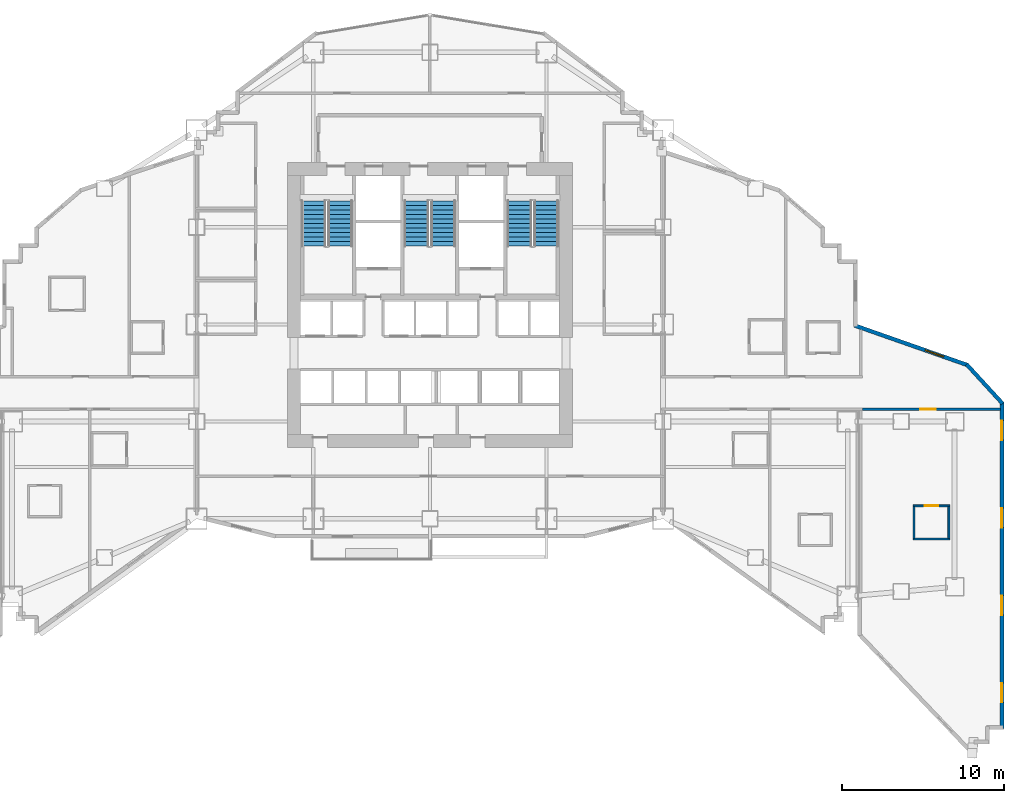
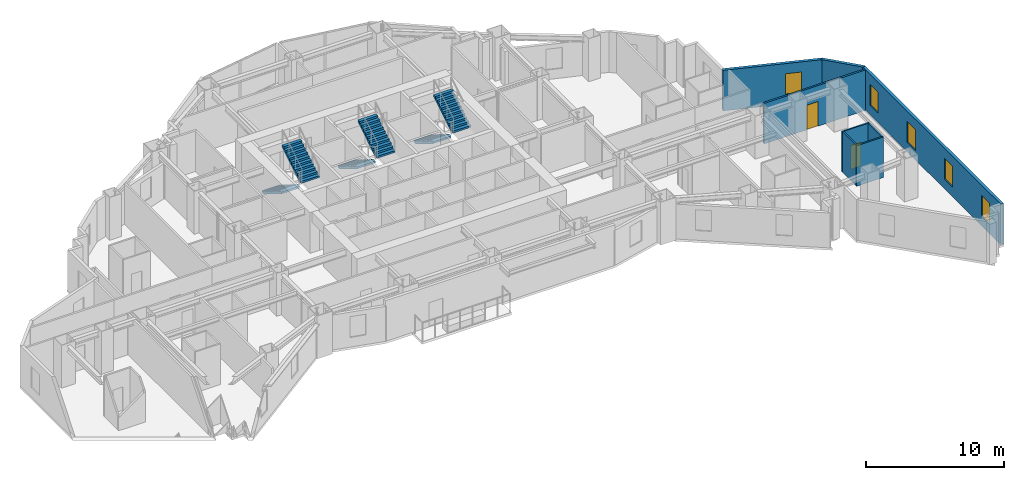
# One storey, part 12 of 17: 8 walls, 6 stair flights, 5 windows, 2 doors, 7 openings, 3 elements without a shape of their own.
"""IFC4 building model written with IfcOpenShell, lengths in metres."""

from ifc_helpers import new_model, si_unit, direction, frame, frame_2d, origin, place, context, subcontext, project, spatial, polyline, rectangle, outline, extrude, material, layer, layer_set, type_object, element, fill, aggregate, save


model = new_model("IFC4")

# Units and contexts
model_context = context("Model", 3, precision=1e-05, world=origin(), true_north=direction((0.0, 1.0)))
body_context = subcontext(model_context, "Body", "Model", "MODEL_VIEW")
ifc_project = project(units=[si_unit("LENGTHUNIT", "METRE"), si_unit("AREAUNIT", "SQUARE_METRE"), si_unit("VOLUMEUNIT", "CUBIC_METRE"), si_unit("PLANEANGLEUNIT", "RADIAN"), si_unit("MASSUNIT", "GRAM", prefix="KILO")], contexts=[model_context])

# Site, building, storey
site_placement = place(None, origin())
site = spatial("IfcSite", under=ifc_project, at=site_placement, CompositionType="ELEMENT")
building_placement = place(site_placement, origin())
building = spatial("IfcBuilding", under=site, at=building_placement, Name="Haolan Belvedere Tower", CompositionType="ELEMENT")
storey_placement = place(building_placement, frame((0.0, 0.0, 31.60009765625)))
storey = spatial("IfcBuildingStorey", under=building, at=storey_placement, Name="L07", CompositionType="ELEMENT", Elevation=31.60009765625)

# Wall, openings, windows
ifc_material_1 = material(Name="Precast concrete C40/50", Category="concrete")
ifc_layer_1 = layer(ifc_material_1, 0.239990234375, Name="Precast concrete C40/50")
ifc_layer_set_1 = layer_set([ifc_layer_1], Name="Precast concrete C40/50")
wall_type_1 = type_object("IfcWallType", Name="WL-EXT-240", PredefinedType="SOLIDWALL", material=ifc_layer_set_1)
wall_1_placement = place(storey_placement, frame((73.719970703125, 8.656982421875, 0.0), z_axis=(0.0, 0.0, 1.0), x_axis=(0.0, 1.0, 0.0)))
wall_1 = element("IfcWall", 1, at=wall_1_placement, inside=storey, type_object=wall_type_1, Name="L07 pale-metal exterior spandrel wall 26.1", PredefinedType="SOLIDWALL", context=body_context, shape_type="SweptSolid", body=[
    extrude(rectangle(XDim=20.1513671875, YDim=0.239990234375, at=frame_2d((10.07568359375, 0.0))), origin(), (0.0, 0.0, 1.0), 3.599853515625),
])
opening_1_placement = place(wall_1_placement, frame((1.60009765625, 0.0, 0.85009765625)))
opening_1 = element("IfcOpeningElement", 2, at=opening_1_placement, cuts=wall_1, Name="Opening W-01", PredefinedType="OPENING", context=body_context, shape_type="SweptSolid", body=[
    extrude(rectangle(XDim=1.199951171875, YDim=1.85009765625, at=frame_2d((0.60009765625, 0.925048828125))), frame((0.0, 0.1298828125, 0.0), z_axis=(0.0, -1.0, 0.0), x_axis=(1.0, 0.0, 0.0)), (0.0, 0.0, 1.0), 0.260009765625),
])
opening_2_placement = place(wall_1_placement, frame((7.0, 0.0, 0.85009765625)))
opening_2 = element("IfcOpeningElement", 3, at=opening_2_placement, cuts=wall_1, Name="Opening W-01", PredefinedType="OPENING", context=body_context, shape_type="SweptSolid", body=[
    extrude(rectangle(XDim=1.199951171875, YDim=1.85009765625, at=frame_2d((0.60009765625, 0.925048828125))), frame((0.0, 0.1298828125, 0.0), z_axis=(0.0, -1.0, 0.0), x_axis=(1.0, 0.0, 0.0)), (0.0, 0.0, 1.0), 0.260009765625),
])
opening_3_placement = place(wall_1_placement, frame((12.39990234375, 0.0, 0.85009765625)))
opening_3 = element("IfcOpeningElement", 4, at=opening_3_placement, cuts=wall_1, Name="Opening W-01", PredefinedType="OPENING", context=body_context, shape_type="SweptSolid", body=[
    extrude(rectangle(XDim=1.199951171875, YDim=1.85009765625, at=frame_2d((0.60009765625, 0.925048828125))), frame((0.0, 0.1298828125, 0.0), z_axis=(0.0, -1.0, 0.0), x_axis=(1.0, 0.0, 0.0)), (0.0, 0.0, 1.0), 0.260009765625),
])
opening_4_placement = place(wall_1_placement, frame((17.800048828125, 0.0, 0.85009765625)))
opening_4 = element("IfcOpeningElement", 5, at=opening_4_placement, cuts=wall_1, Name="Opening W-01", PredefinedType="OPENING", context=body_context, shape_type="SweptSolid", body=[
    extrude(rectangle(XDim=1.199951171875, YDim=1.85009765625, at=frame_2d((0.60009765625, 0.925048828125))), frame((0.0, 0.1298828125, 0.0), z_axis=(0.0, -1.0, 0.0), x_axis=(1.0, 0.0, 0.0)), (0.0, 0.0, 1.0), 0.260009765625),
])
ifc_material_2 = material(Name="Anodised aluminium 6063-T6 and Low-E glass", Category="aluminium")
window_type = type_object("IfcWindowType", Name="WN-DECO-Z1", PartitioningType="SINGLE_PANEL", PredefinedType="WINDOW", material=ifc_material_2)
window_1_placement = place(opening_1_placement, origin())
window_1 = element("IfcWindow", 6, at=window_1_placement, inside=storey, type_object=window_type, Name="L07 Art Deco chevron window 1", OverallHeight=1.85009765625, OverallWidth=1.199951171875, PartitioningType="SINGLE_PANEL", PredefinedType="WINDOW", context=body_context, shape_type="SweptSolid", body=[
    extrude(rectangle(XDim=1.199951171875, YDim=1.85009765625, at=frame_2d((0.60009765625, 0.925048828125))), frame((0.0, 0.030029296875, 0.0), z_axis=(0.0, -1.0, 0.0), x_axis=(1.0, 0.0, 0.0)), (0.0, 0.0, 1.0), 0.06005859375),
])
fill(opening_1, window_1)
window_2_placement = place(opening_2_placement, origin())
window_2 = element("IfcWindow", 7, at=window_2_placement, inside=storey, type_object=window_type, Name="L07 Art Deco chevron window 2", OverallHeight=1.85009765625, OverallWidth=1.199951171875, PartitioningType="SINGLE_PANEL", PredefinedType="WINDOW", context=body_context, shape_type="SweptSolid", body=[
    extrude(rectangle(XDim=1.199951171875, YDim=1.85009765625, at=frame_2d((0.60009765625, 0.925048828125))), frame((0.0, 0.030029296875, 0.0), z_axis=(0.0, -1.0, 0.0), x_axis=(1.0, 0.0, 0.0)), (0.0, 0.0, 1.0), 0.06005859375),
])
fill(opening_2, window_2)
window_3_placement = place(opening_3_placement, origin())
window_3 = element("IfcWindow", 8, at=window_3_placement, inside=storey, type_object=window_type, Name="L07 Art Deco chevron window 3", OverallHeight=1.85009765625, OverallWidth=1.199951171875, PartitioningType="SINGLE_PANEL", PredefinedType="WINDOW", context=body_context, shape_type="SweptSolid", body=[
    extrude(rectangle(XDim=1.199951171875, YDim=1.85009765625, at=frame_2d((0.60009765625, 0.925048828125))), frame((0.0, 0.030029296875, 0.0), z_axis=(0.0, -1.0, 0.0), x_axis=(1.0, 0.0, 0.0)), (0.0, 0.0, 1.0), 0.06005859375),
])
fill(opening_3, window_3)
window_4_placement = place(opening_4_placement, origin())
window_4 = element("IfcWindow", 9, at=window_4_placement, inside=storey, type_object=window_type, Name="L07 Art Deco chevron window 4", OverallHeight=1.85009765625, OverallWidth=1.199951171875, PartitioningType="SINGLE_PANEL", PredefinedType="WINDOW", context=body_context, shape_type="SweptSolid", body=[
    extrude(rectangle(XDim=1.199951171875, YDim=1.85009765625, at=frame_2d((0.60009765625, 0.925048828125))), frame((0.0, 0.030029296875, 0.0), z_axis=(0.0, -1.0, 0.0), x_axis=(1.0, 0.0, 0.0)), (0.0, 0.0, 1.0), 0.06005859375),
])
fill(opening_4, window_4)

# Wall
wall_2_placement = place(storey_placement, frame((73.757080078125, 28.712890625, 0.0), z_axis=(0.0, 0.0, 1.0), x_axis=(-0.675744797284, 0.737135651657, 0.0)))
element("IfcWall", 10, at=wall_2_placement, inside=storey, type_object=wall_type_1, Name="L07 pale-metal exterior spandrel wall 27.1", PredefinedType="SOLIDWALL", context=body_context, shape_type="SweptSolid", body=[
    extrude(rectangle(XDim=3.288818359375, YDim=0.239990234375, at=frame_2d((1.64453125, 0.0))), origin(), (0.0, 0.0, 1.0), 3.599853515625),
])

# Wall, opening, window
wall_3_placement = place(storey_placement, frame((71.623779296875, 31.07861328125, 0.0), z_axis=(0.0, 0.0, 1.0), x_axis=(-0.943600343117, 0.331086684222, 0.0)))
wall_3 = element("IfcWall", 11, at=wall_3_placement, inside=storey, type_object=wall_type_1, Name="L07 pale-metal exterior spandrel wall 28.1", PredefinedType="SOLIDWALL", context=body_context, shape_type="SweptSolid", body=[
    extrude(rectangle(XDim=7.413818359375, YDim=0.239990234375, at=frame_2d((3.70703125, 0.0))), origin(), (0.0, 0.0, 1.0), 3.599853515625),
])
opening_5_placement = place(wall_3_placement, frame((1.60009765625, 0.0, 0.85009765625)))
opening_5 = element("IfcOpeningElement", 12, at=opening_5_placement, cuts=wall_3, Name="Opening W-01", PredefinedType="OPENING", context=body_context, shape_type="SweptSolid", body=[
    extrude(rectangle(XDim=1.199951171875, YDim=1.85009765625, at=frame_2d((0.60009765625, 0.925048828125))), frame((0.0, 0.1298828125, 0.0), z_axis=(0.0, -1.0, 0.0), x_axis=(1.0, 0.0, 0.0)), (0.0, 0.0, 1.0), 0.260009765625),
])
window_5_placement = place(opening_5_placement, origin())
window_5 = element("IfcWindow", 13, at=window_5_placement, inside=storey, type_object=window_type, Name="L07 Art Deco chevron window 1", OverallHeight=1.85009765625, OverallWidth=1.199951171875, PartitioningType="SINGLE_PANEL", PredefinedType="WINDOW", context=body_context, shape_type="SweptSolid", body=[
    extrude(rectangle(XDim=1.199951171875, YDim=1.85009765625, at=frame_2d((0.60009765625, 0.925048828125))), frame((0.0, 0.030029296875, 0.0), z_axis=(0.0, -1.0, 0.0), x_axis=(1.0, 0.0, 0.0)), (0.0, 0.0, 1.0), 0.06005859375),
])
fill(opening_5, window_5)

# Wall, opening, door
ifc_material_3 = material(Name="Double gypsum acoustic stud partition", Category="masonry")
ifc_layer_2 = layer(ifc_material_3, 0.14990234375, Name="Double gypsum acoustic stud partition")
ifc_layer_set_2 = layer_set([ifc_layer_2], Name="Double gypsum acoustic stud partition")
wall_type_2 = type_object("IfcWallType", Name="WL-PART-150", PredefinedType="PARTITIONING", material=ifc_layer_set_2)
wall_4_placement = place(storey_placement, frame((65.10205078125, 28.3701171875, 0.0), z_axis=(0.0, 0.0, 1.0), x_axis=(1.0, 0.0, 0.0)))
wall_4 = element("IfcWall", 14, at=wall_4_placement, inside=storey, type_object=wall_type_2, Name="L07 interior partition IW-L07-T5S1-N", PredefinedType="PARTITIONING", context=body_context, shape_type="SweptSolid", body=[
    extrude(rectangle(XDim=8.512939453125, YDim=0.14990234375, at=frame_2d((4.25634765625, 0.0))), origin(), (0.0, 0.0, 1.0), 3.599853515625),
])
opening_6_placement = place(wall_4_placement, frame((4.525634765625, 0.0, 0.0), z_axis=(0.0, 0.0, 1.0), x_axis=(-1.0, 0.0, 0.0)))
opening_6 = element("IfcOpeningElement", 15, at=opening_6_placement, cuts=wall_4, Name="Opening ID-01", PredefinedType="OPENING", context=body_context, shape_type="SweptSolid", body=[
    extrude(rectangle(XDim=0.949951171875, YDim=2.179931640625, at=frame_2d((0.47509765625, 1.08984375))), frame((0.0, 0.0849609375, 0.0), z_axis=(0.0, -1.0, 0.0), x_axis=(1.0, 0.0, 0.0)), (0.0, 0.0, 1.0), 0.169921875),
])
ifc_material_4 = material(Name="Acoustic walnut veneer fire-rated timber", Category="wood")
door_type_1 = type_object("IfcDoorType", Name="DR-SUITE-950", OperationType="NOTDEFINED", PredefinedType="DOOR", material=ifc_material_4)
door_1_placement = place(opening_6_placement, origin())
door_1 = element("IfcDoor", 16, at=door_1_placement, inside=storey, type_object=door_type_1, Name="L07 door ID-L07-T5S1-ENT", OperationType="SINGLE_SWING_LEFT", OverallHeight=2.179931640625, OverallWidth=0.949951171875, PredefinedType="DOOR", context=body_context, shape_type="SweptSolid", body=[
    extrude(rectangle(XDim=0.949951171875, YDim=2.179931640625, at=frame_2d((0.47509765625, 1.08984375))), frame((0.0, 0.02490234375, 0.0), z_axis=(0.0, -1.0, 0.0), x_axis=(1.0, 0.0, 0.0)), (0.0, 0.0, 1.0), 0.050048828125),
])
fill(opening_6, door_1)

ifc_material_5 = material(Name="Moisture-resistant gypsum tile partition", Category="masonry")
ifc_layer_3 = layer(ifc_material_5, 0.1201171875, Name="Moisture-resistant gypsum tile partition")
ifc_layer_set_3 = layer_set([ifc_layer_3], Name="Moisture-resistant gypsum tile partition")
wall_type_3 = type_object("IfcWallType", Name="WL-WET-120", PredefinedType="PARTITIONING", material=ifc_layer_set_3)
wall_5_placement = place(storey_placement, frame((68.22802734375, 22.39892578125, 0.0), z_axis=(0.0, 0.0, 1.0), x_axis=(1.0, 0.0, 0.0)))
wall_5 = element("IfcWall", 17, at=wall_5_placement, inside=storey, type_object=wall_type_3, Name="L07 interior partition IW-L07-T5S1-BN", PredefinedType="PARTITIONING", context=body_context, shape_type="SweptSolid", body=[
    extrude(rectangle(XDim=2.27001953125, YDim=0.1201171875, at=frame_2d((1.135009765625, 0.0))), origin(), (0.0, 0.0, 1.0), 3.599853515625),
])
opening_7_placement = place(wall_5_placement, frame((1.56005859375, 0.0, 0.0), z_axis=(0.0, 0.0, 1.0), x_axis=(-1.0, 0.0, 0.0)))
opening_7 = element("IfcOpeningElement", 18, at=opening_7_placement, cuts=wall_5, Name="Opening ID-05", PredefinedType="OPENING", context=body_context, shape_type="SweptSolid", body=[
    extrude(rectangle(XDim=0.85009765625, YDim=2.10009765625, at=frame_2d((0.425048828125, 1.050048828125))), frame((0.0, 0.070068359375, 0.0), z_axis=(0.0, -1.0, 0.0), x_axis=(1.0, 0.0, 0.0)), (0.0, 0.0, 1.0), 0.14013671875),
])
ifc_material_6 = material(Name="Moisture-resistant lacquered timber", Category="wood")
door_type_2 = type_object("IfcDoorType", Name="DR-BATH-850", OperationType="NOTDEFINED", PredefinedType="DOOR", material=ifc_material_6)
door_2_placement = place(opening_7_placement, origin())
door_2 = element("IfcDoor", 19, at=door_2_placement, inside=storey, type_object=door_type_2, Name="L07 door ID-L07-T5S1-BATH", OperationType="SINGLE_SWING_RIGHT", OverallHeight=2.10009765625, OverallWidth=0.85009765625, PredefinedType="DOOR", context=body_context, shape_type="SweptSolid", body=[
    extrude(rectangle(XDim=0.85009765625, YDim=2.10009765625, at=frame_2d((0.425048828125, 1.050048828125))), frame((0.0, 0.02490234375, 0.0), z_axis=(0.0, -1.0, 0.0), x_axis=(1.0, 0.0, 0.0)), (0.0, 0.0, 1.0), 0.050048828125),
])
fill(opening_7, door_2)

# Walls
wall_6_placement = place(storey_placement, frame((68.22802734375, 20.34912109375, 0.0), z_axis=(0.0, 0.0, 1.0), x_axis=(1.0, 0.0, 0.0)))
element("IfcWall", 20, at=wall_6_placement, inside=storey, type_object=wall_type_3, Name="L07 interior partition IW-L07-T5S1-BS", PredefinedType="PARTITIONING", context=body_context, shape_type="SweptSolid", body=[
    extrude(rectangle(XDim=2.27001953125, YDim=0.1201171875, at=frame_2d((1.135009765625, 0.0))), origin(), (0.0, 0.0, 1.0), 3.599853515625),
])
for number, where, z_axis, x_axis, name in (
    (21, (68.2880859375, 20.39404296875, 0.0), (0.0, 0.0, 1.0), (0.0, 1.0, 0.0), "L07 interior partition IW-L07-T5S1-BW"),
    (22, (70.43798828125, 20.39404296875, 0.0), (0.0, 0.0, 1.0), (0.0, 1.0, 0.0), "L07 interior partition IW-L07-T5S1-BE"),
):
    element("IfcWall", number, at=place(storey_placement, frame(where, z_axis=z_axis, x_axis=x_axis)), inside=storey, type_object=wall_type_3, Name=name, PredefinedType="PARTITIONING", context=body_context, shape_type="SweptSolid", body=[
        extrude(rectangle(XDim=1.9599609375, YDim=0.1201171875, at=frame_2d((0.97998046875, 0.0))), origin(), (0.0, 0.0, 1.0), 3.599853515625),
    ])

# Stair, stair flights
ifc_material_7 = material(Name="Concrete C40/50", Category="concrete")
stair_type = type_object("IfcStairType", Name="STR-DL-22R-173", PredefinedType="HALF_TURN_STAIR", material=ifc_material_7)
stair_1_placement = place(storey_placement, origin())
stair_1 = element("IfcStair", 23, at=stair_1_placement, inside=storey, type_object=stair_type, Name="L07 Smokeproof Core Exit Stair ST1", PredefinedType="HALF_TURN_STAIR")
stair_flight_type = type_object("IfcStairFlightType", Name="SFL-DL-11R-173", PredefinedType="STRAIGHT", material=ifc_material_7)
stair_flight_1_placement = place(storey_placement, frame((31.2099609375, 41.22998046875, 0.0), z_axis=(0.0, 0.0, 1.0), x_axis=(0.0, -1.0, 0.0)))
stair_flight_1 = element("IfcStairFlight", 24, at=stair_flight_1_placement, type_object=stair_flight_type, Name="ST1 flight 1", NumberOfRisers=11, NumberOfTreads=10, PredefinedType="STRAIGHT", RiserHeight=0.172727273, TreadLength=0.28, context=body_context, shape_type="SweptSolid", body=[
    extrude(outline(polyline([(0.0, 0.0), (0.0, 0.172607421875), (0.280029296875, 0.172607421875), (0.280029296875, 0.345458984375), (0.56005859375, 0.345458984375), (0.56005859375, 0.51806640625), (0.840087890625, 0.51806640625), (0.840087890625, 0.69091796875), (1.1201171875, 0.69091796875), (1.1201171875, 0.863525390625), (1.39990234375, 0.863525390625), (1.39990234375, 1.036376953125), (1.679931640625, 1.036376953125), (1.679931640625, 1.208984375), (1.9599609375, 1.208984375), (1.9599609375, 1.3818359375), (2.239990234375, 1.3818359375), (2.239990234375, 1.554443359375), (2.52001953125, 1.554443359375), (2.52001953125, 1.727294921875), (2.800048828125, 1.727294921875), (2.800048828125, 1.89990234375), (2.800048828125, 1.551025390625), (0.285400390625, 0.0), (0.0, 0.0)])), frame((0.0, 0.760009765625, 0.0), z_axis=(0.0, -1.0, 0.0), x_axis=(1.0, 0.0, 0.0)), (0.0, 0.0, 1.0), 1.52001953125),
])
stair_flight_2_placement = place(storey_placement, frame((32.8701171875, 38.429931640625, 1.89990234375), z_axis=(0.0, 0.0, 1.0), x_axis=(0.0, 1.0, 0.0)))
stair_flight_2 = element("IfcStairFlight", 25, at=stair_flight_2_placement, type_object=stair_flight_type, Name="ST1 flight 2", NumberOfRisers=11, NumberOfTreads=10, PredefinedType="STRAIGHT", RiserHeight=0.172727273, TreadLength=0.28, context=body_context, shape_type="SweptSolid", body=[
    extrude(outline(polyline([(0.0, 0.0), (0.0, 0.172607421875), (0.280029296875, 0.172607421875), (0.280029296875, 0.345458984375), (0.56005859375, 0.345458984375), (0.56005859375, 0.51806640625), (0.840087890625, 0.51806640625), (0.840087890625, 0.69091796875), (1.1201171875, 0.69091796875), (1.1201171875, 0.863525390625), (1.39990234375, 0.863525390625), (1.39990234375, 1.036376953125), (1.679931640625, 1.036376953125), (1.679931640625, 1.208984375), (1.9599609375, 1.208984375), (1.9599609375, 1.3818359375), (2.239990234375, 1.3818359375), (2.239990234375, 1.554443359375), (2.52001953125, 1.554443359375), (2.52001953125, 1.727294921875), (2.800048828125, 1.727294921875), (2.800048828125, 1.89990234375), (2.800048828125, 1.551025390625), (0.285400390625, 0.0), (0.0, 0.0)])), frame((0.0, 0.760009765625, 0.0), z_axis=(0.0, -1.0, 0.0), x_axis=(1.0, 0.0, 0.0)), (0.0, 0.0, 1.0), 1.52001953125),
])
aggregate(stair_1, [stair_flight_1, stair_flight_2])

stair_2_placement = place(storey_placement, origin())
stair_2 = element("IfcStair", 26, at=stair_2_placement, inside=storey, type_object=stair_type, Name="L07 Smokeproof Core Exit Stair ST3", PredefinedType="HALF_TURN_STAIR")
stair_flight_3_placement = place(storey_placement, frame((37.570068359375, 41.22998046875, 0.0), z_axis=(0.0, 0.0, 1.0), x_axis=(0.0, -1.0, 0.0)))
stair_flight_3 = element("IfcStairFlight", 27, at=stair_flight_3_placement, type_object=stair_flight_type, Name="ST3 flight 1", NumberOfRisers=11, NumberOfTreads=10, PredefinedType="STRAIGHT", RiserHeight=0.172727273, TreadLength=0.28, context=body_context, shape_type="SweptSolid", body=[
    extrude(outline(polyline([(0.0, 0.0), (0.0, 0.172607421875), (0.280029296875, 0.172607421875), (0.280029296875, 0.345458984375), (0.56005859375, 0.345458984375), (0.56005859375, 0.51806640625), (0.840087890625, 0.51806640625), (0.840087890625, 0.69091796875), (1.1201171875, 0.69091796875), (1.1201171875, 0.863525390625), (1.39990234375, 0.863525390625), (1.39990234375, 1.036376953125), (1.679931640625, 1.036376953125), (1.679931640625, 1.208984375), (1.9599609375, 1.208984375), (1.9599609375, 1.3818359375), (2.239990234375, 1.3818359375), (2.239990234375, 1.554443359375), (2.52001953125, 1.554443359375), (2.52001953125, 1.727294921875), (2.800048828125, 1.727294921875), (2.800048828125, 1.89990234375), (2.800048828125, 1.551025390625), (0.285400390625, 0.0), (0.0, 0.0)])), frame((0.0, 0.760009765625, 0.0), z_axis=(0.0, -1.0, 0.0), x_axis=(1.0, 0.0, 0.0)), (0.0, 0.0, 1.0), 1.52001953125),
])
stair_flight_4_placement = place(storey_placement, frame((39.22998046875, 38.429931640625, 1.89990234375), z_axis=(0.0, 0.0, 1.0), x_axis=(0.0, 1.0, 0.0)))
stair_flight_4 = element("IfcStairFlight", 28, at=stair_flight_4_placement, type_object=stair_flight_type, Name="ST3 flight 2", NumberOfRisers=11, NumberOfTreads=10, PredefinedType="STRAIGHT", RiserHeight=0.172727273, TreadLength=0.28, context=body_context, shape_type="SweptSolid", body=[
    extrude(outline(polyline([(0.0, 0.0), (0.0, 0.172607421875), (0.280029296875, 0.172607421875), (0.280029296875, 0.345458984375), (0.56005859375, 0.345458984375), (0.56005859375, 0.51806640625), (0.840087890625, 0.51806640625), (0.840087890625, 0.69091796875), (1.1201171875, 0.69091796875), (1.1201171875, 0.863525390625), (1.39990234375, 0.863525390625), (1.39990234375, 1.036376953125), (1.679931640625, 1.036376953125), (1.679931640625, 1.208984375), (1.9599609375, 1.208984375), (1.9599609375, 1.3818359375), (2.239990234375, 1.3818359375), (2.239990234375, 1.554443359375), (2.52001953125, 1.554443359375), (2.52001953125, 1.727294921875), (2.800048828125, 1.727294921875), (2.800048828125, 1.89990234375), (2.800048828125, 1.551025390625), (0.285400390625, 0.0), (0.0, 0.0)])), frame((0.0, 0.760009765625, 0.0), z_axis=(0.0, -1.0, 0.0), x_axis=(1.0, 0.0, 0.0)), (0.0, 0.0, 1.0), 1.52001953125),
])
aggregate(stair_2, [stair_flight_3, stair_flight_4])

stair_3_placement = place(storey_placement, origin())
stair_3 = element("IfcStair", 29, at=stair_3_placement, inside=storey, type_object=stair_type, Name="L07 Smokeproof Core Exit Stair ST2", PredefinedType="HALF_TURN_STAIR")
stair_flight_5_placement = place(storey_placement, frame((43.929931640625, 41.22998046875, 0.0), z_axis=(0.0, 0.0, 1.0), x_axis=(0.0, -1.0, 0.0)))
stair_flight_5 = element("IfcStairFlight", 30, at=stair_flight_5_placement, type_object=stair_flight_type, Name="ST2 flight 1", NumberOfRisers=11, NumberOfTreads=10, PredefinedType="STRAIGHT", RiserHeight=0.172727273, TreadLength=0.28, context=body_context, shape_type="SweptSolid", body=[
    extrude(outline(polyline([(0.0, 0.0), (0.0, 0.172607421875), (0.280029296875, 0.172607421875), (0.280029296875, 0.345458984375), (0.56005859375, 0.345458984375), (0.56005859375, 0.51806640625), (0.840087890625, 0.51806640625), (0.840087890625, 0.69091796875), (1.1201171875, 0.69091796875), (1.1201171875, 0.863525390625), (1.39990234375, 0.863525390625), (1.39990234375, 1.036376953125), (1.679931640625, 1.036376953125), (1.679931640625, 1.208984375), (1.9599609375, 1.208984375), (1.9599609375, 1.3818359375), (2.239990234375, 1.3818359375), (2.239990234375, 1.554443359375), (2.52001953125, 1.554443359375), (2.52001953125, 1.727294921875), (2.800048828125, 1.727294921875), (2.800048828125, 1.89990234375), (2.800048828125, 1.551025390625), (0.285400390625, 0.0), (0.0, 0.0)])), frame((0.0, 0.760009765625, 0.0), z_axis=(0.0, -1.0, 0.0), x_axis=(1.0, 0.0, 0.0)), (0.0, 0.0, 1.0), 1.52001953125),
])
stair_flight_6_placement = place(storey_placement, frame((45.590087890625, 38.429931640625, 1.89990234375), z_axis=(0.0, 0.0, 1.0), x_axis=(0.0, 1.0, 0.0)))
stair_flight_6 = element("IfcStairFlight", 31, at=stair_flight_6_placement, type_object=stair_flight_type, Name="ST2 flight 2", NumberOfRisers=11, NumberOfTreads=10, PredefinedType="STRAIGHT", RiserHeight=0.172727273, TreadLength=0.28, context=body_context, shape_type="SweptSolid", body=[
    extrude(outline(polyline([(0.0, 0.0), (0.0, 0.172607421875), (0.280029296875, 0.172607421875), (0.280029296875, 0.345458984375), (0.56005859375, 0.345458984375), (0.56005859375, 0.51806640625), (0.840087890625, 0.51806640625), (0.840087890625, 0.69091796875), (1.1201171875, 0.69091796875), (1.1201171875, 0.863525390625), (1.39990234375, 0.863525390625), (1.39990234375, 1.036376953125), (1.679931640625, 1.036376953125), (1.679931640625, 1.208984375), (1.9599609375, 1.208984375), (1.9599609375, 1.3818359375), (2.239990234375, 1.3818359375), (2.239990234375, 1.554443359375), (2.52001953125, 1.554443359375), (2.52001953125, 1.727294921875), (2.800048828125, 1.727294921875), (2.800048828125, 1.89990234375), (2.800048828125, 1.551025390625), (0.285400390625, 0.0), (0.0, 0.0)])), frame((0.0, 0.760009765625, 0.0), z_axis=(0.0, -1.0, 0.0), x_axis=(1.0, 0.0, 0.0)), (0.0, 0.0, 1.0), 1.52001953125),
])
aggregate(stair_3, [stair_flight_5, stair_flight_6])

save(model, "model.ifc")
